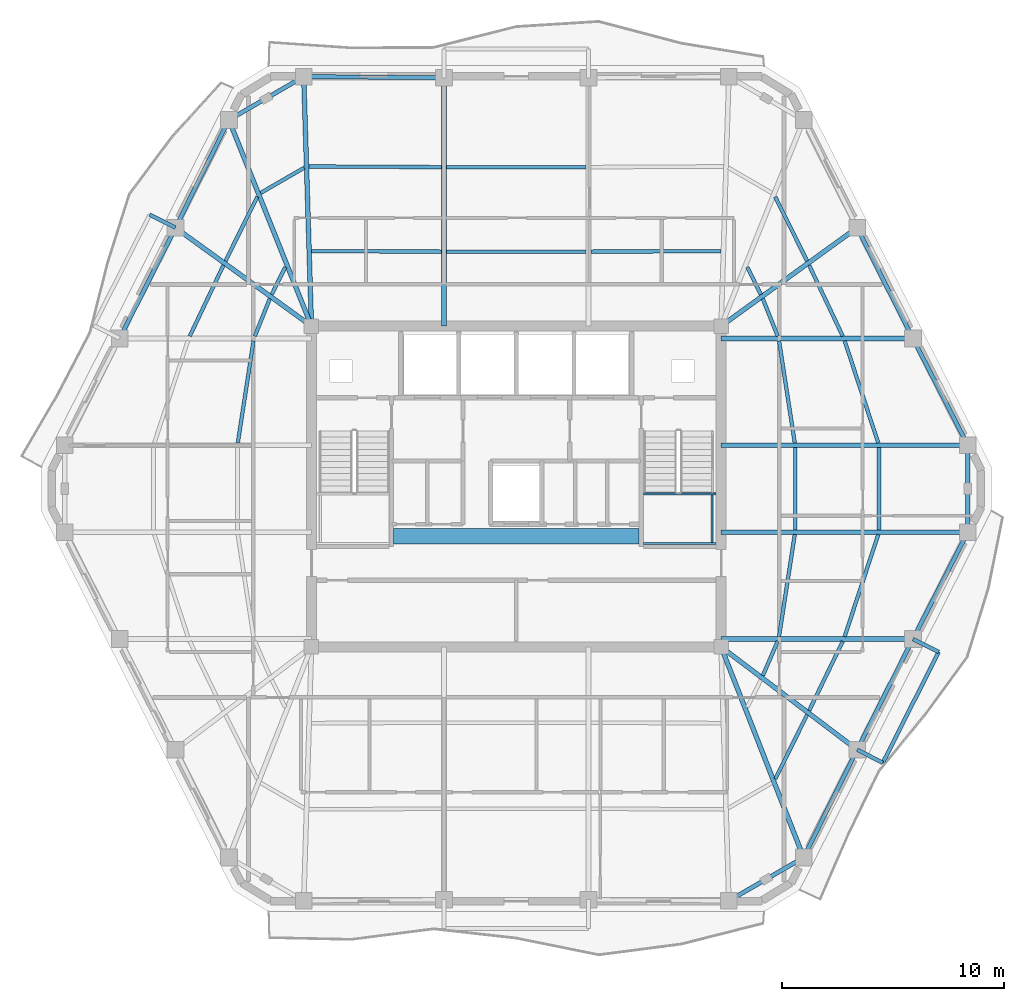
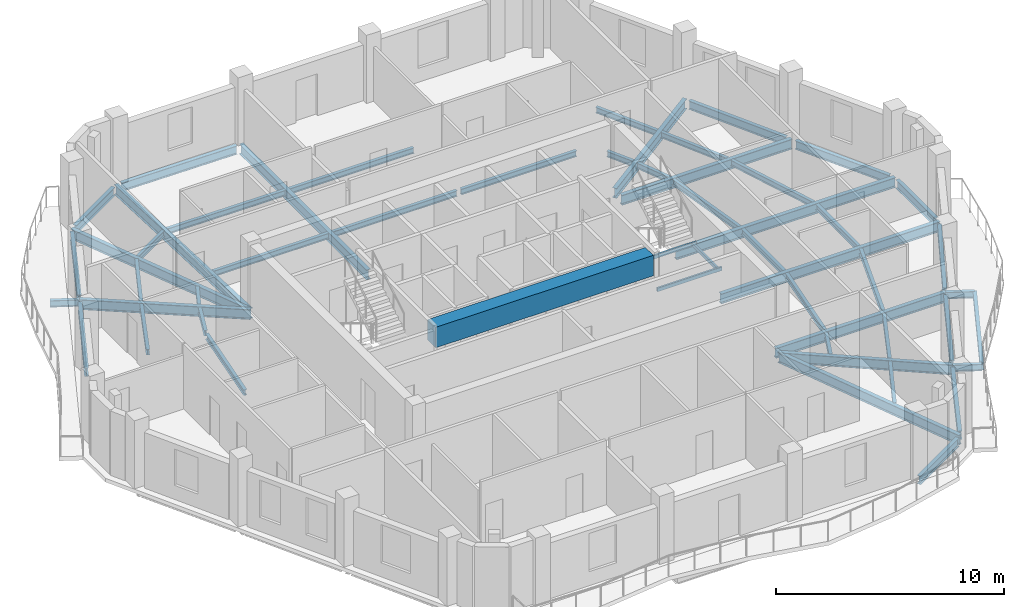
# One storey, part 2 of 11: 54 beams.
"""IFC4 building model written with IfcOpenShell, lengths in metres."""

from ifc_helpers import new_model, si_unit, direction, frame, origin, origin_2d, place, context, subcontext, project, spatial, rectangle, hollow_rectangle, i_section, extrude, material, material_profile, profile_set, type_object, element, save


model = new_model("IFC4")

# Units and contexts
model_context = context("Model", 3, precision=1e-05, world=origin(), true_north=direction((0.0, 1.0)))
body_context = subcontext(model_context, "Body", "Model", "MODEL_VIEW")
ifc_project = project(units=[si_unit("LENGTHUNIT", "METRE"), si_unit("AREAUNIT", "SQUARE_METRE"), si_unit("VOLUMEUNIT", "CUBIC_METRE"), si_unit("PLANEANGLEUNIT", "RADIAN"), si_unit("MASSUNIT", "GRAM", prefix="KILO")], contexts=[model_context])

# Site, building, storey
site_placement = place(None, origin())
site = spatial("IfcSite", under=ifc_project, at=site_placement, CompositionType="ELEMENT")
building_placement = place(site_placement, origin())
building = spatial("IfcBuilding", under=site, at=building_placement, Name="Cinnabar Lancet Tower", CompositionType="ELEMENT")
storey_placement = place(building_placement, frame((0.0, 0.0, 234.300048828125)))
storey = spatial("IfcBuildingStorey", under=building, at=storey_placement, Name="L62", CompositionType="ELEMENT", Elevation=234.300048828125)

# Beams
ifc_material_1 = material(Name="Concrete C70/85", Category="concrete")
ifc_material_profile_1 = material_profile(ifc_material_1, rectangle(XDim=0.699951171875, YDim=1.10009765625, at=origin_2d()), Name="RC-CB 700x1100")
ifc_profile_set_1 = profile_set([ifc_material_profile_1], Name="Concrete C70/85")
beam_type_1 = type_object("IfcBeamType", Name="STR-BM-CB-1100", PredefinedType="BEAM", material=ifc_profile_set_1)
beam_1_placement = place(storey_placement, frame((26.8798828125, 23.64990234375, 2.89990234375), z_axis=(1.0, 0.0, 0.0), x_axis=(0.0, 1.0, 0.0)))
element("IfcBeam", 1, at=beam_1_placement, inside=storey, type_object=beam_type_1, Name="L62 Core Coupling Beam", PredefinedType="BEAM", context=body_context, shape_type="SweptSolid", body=[
    extrude(rectangle(XDim=0.699951171875, YDim=1.10009765625, at=origin_2d()), origin(), (0.0, 0.0, 1.0), 11.0400390625),
])
ifc_material_2 = material(Name="Structural steel S355", Category="steel")
ifc_material_profile_2 = material_profile(ifc_material_2, i_section(OverallWidth=0.1650390625, OverallDepth=0.303466796875, WebThickness=0.006103515625, FlangeThickness=0.01025390625, FilletRadius=0.0087890625, at=origin_2d()), Name="UKB 305x165x40")
ifc_profile_set_2 = profile_set([ifc_material_profile_2], Name="Structural steel S355")
beam_type_2 = type_object("IfcBeamType", Name="STR-BM-JST-305", PredefinedType="JOIST", material=ifc_profile_set_2)
beam_2_placement = place(storey_placement, frame((44.06591796875, 12.73193359375, -0.35205078125), z_axis=(0.444391284604, 0.895832789179, 0.0), x_axis=(-0.895832789179, 0.444391284604, 0.0)))
element("IfcBeam", 2, at=beam_2_placement, inside=storey, type_object=beam_type_2, Name="L62 Secondary Floor Joist 15", PredefinedType="JOIST", context=body_context, shape_type="SweptSolid", body=[
    extrude(i_section(OverallWidth=0.1650390625, OverallDepth=0.303466796875, WebThickness=0.006103515625, FlangeThickness=0.01025390625, FilletRadius=0.0087890625, at=origin_2d()), origin(), (0.0, 0.0, 1.0), 3.220458984375),
])
beam_3_placement = place(storey_placement, frame((45.591064453125, 15.80810546875, -0.35205078125), z_axis=(0.43610936109, 0.899893674369, 0.0), x_axis=(-0.899893674369, 0.43610936109, 0.0)))
element("IfcBeam", 3, at=beam_3_placement, inside=storey, type_object=beam_type_2, Name="L62 Secondary Floor Joist 17", PredefinedType="JOIST", context=body_context, shape_type="SweptSolid", body=[
    extrude(i_section(OverallWidth=0.1650390625, OverallDepth=0.303466796875, WebThickness=0.006103515625, FlangeThickness=0.01025390625, FilletRadius=0.0087890625, at=origin_2d()), origin(), (0.0, 0.0, 1.0), 3.467041015625),
])
beam_4_placement = place(storey_placement, frame((43.5048828125, 17.385009765625, -0.35205078125), z_axis=(0.396302440144, 0.91812002262, 0.0), x_axis=(-0.91812002262, 0.396302440144, 0.0)))
element("IfcBeam", 4, at=beam_4_placement, inside=storey, type_object=beam_type_2, Name="L62 Secondary Floor Joist 18", PredefinedType="JOIST", context=body_context, shape_type="SweptSolid", body=[
    extrude(i_section(OverallWidth=0.1650390625, OverallDepth=0.303466796875, WebThickness=0.006103515625, FlangeThickness=0.01025390625, FilletRadius=0.0087890625, at=origin_2d()), origin(), (0.0, 0.0, 1.0), 1.6806640625),
])
beam_5_placement = place(storey_placement, frame((47.18798828125, 19.137939453125, -0.35205078125), z_axis=(0.312491145371, 0.949920672512, 0.0), x_axis=(-0.949920672512, 0.312491145371, 0.0)))
element("IfcBeam", 5, at=beam_5_placement, inside=storey, type_object=beam_type_2, Name="L62 Secondary Floor Joist 19", PredefinedType="JOIST", context=body_context, shape_type="SweptSolid", body=[
    extrude(i_section(OverallWidth=0.1650390625, OverallDepth=0.303466796875, WebThickness=0.006103515625, FlangeThickness=0.01025390625, FilletRadius=0.0087890625, at=origin_2d()), origin(), (0.0, 0.0, 1.0), 4.8447265625),
])
beam_6_placement = place(storey_placement, frame((44.23291015625, 19.137939453125, -0.35205078125), z_axis=(0.152262059154, 0.988340156698, 0.0), x_axis=(-0.988340156698, 0.152262059154, 0.0)))
element("IfcBeam", 6, at=beam_6_placement, inside=storey, type_object=beam_type_2, Name="L62 Secondary Floor Joist 20", PredefinedType="JOIST", context=body_context, shape_type="SweptSolid", body=[
    extrude(i_section(OverallWidth=0.1650390625, OverallDepth=0.303466796875, WebThickness=0.006103515625, FlangeThickness=0.01025390625, FilletRadius=0.0087890625, at=origin_2d()), origin(), (0.0, 0.0, 1.0), 4.65625),
])
for number, where, z_axis, x_axis, name in (
    (7, (48.737060546875, 23.949951171875, -0.35205078125), (0.0, 1.0, 0.0), (-1.0, 0.0, 0.0), "L62 Secondary Floor Joist 21"),
    (8, (44.958984375, 23.949951171875, -0.35205078125), (0.0, 1.0, 0.0), (-1.0, 0.0, 0.0), "L62 Secondary Floor Joist 22"),
):
    element("IfcBeam", number, at=place(storey_placement, frame(where, z_axis=z_axis, x_axis=x_axis)), inside=storey, type_object=beam_type_2, Name=name, PredefinedType="JOIST", context=body_context, shape_type="SweptSolid", body=[
        extrude(i_section(OverallWidth=0.1650390625, OverallDepth=0.303466796875, WebThickness=0.006103515625, FlangeThickness=0.01025390625, FilletRadius=0.0087890625, at=origin_2d()), origin(), (0.0, 0.0, 1.0), 3.699951171875),
    ])
beam_7_placement = place(storey_placement, frame((48.701904296875, 27.860107421875, -0.35205078125), z_axis=(-0.312506104996, 0.94991575118, 0.0), x_axis=(-0.94991575118, -0.312506104996, 0.0)))
element("IfcBeam", 9, at=beam_7_placement, inside=storey, type_object=beam_type_2, Name="L62 Secondary Floor Joist 23", PredefinedType="JOIST", context=body_context, shape_type="SweptSolid", body=[
    extrude(i_section(OverallWidth=0.1650390625, OverallDepth=0.303466796875, WebThickness=0.006103515625, FlangeThickness=0.01025390625, FilletRadius=0.0087890625, at=origin_2d()), origin(), (0.0, 0.0, 1.0), 4.844482421875),
])
beam_8_placement = place(storey_placement, frame((44.94189453125, 27.860107421875, -0.35205078125), z_axis=(-0.152269949853, 0.988338941038, 0.0), x_axis=(-0.988338941038, -0.152269949853, 0.0)))
element("IfcBeam", 10, at=beam_8_placement, inside=storey, type_object=beam_type_2, Name="L62 Secondary Floor Joist 24", PredefinedType="JOIST", context=body_context, shape_type="SweptSolid", body=[
    extrude(i_section(OverallWidth=0.1650390625, OverallDepth=0.303466796875, WebThickness=0.006103515625, FlangeThickness=0.01025390625, FilletRadius=0.0087890625, at=origin_2d()), origin(), (0.0, 0.0, 1.0), 4.656005859375),
])
beam_9_placement = place(storey_placement, frame((47.10400390625, 32.672119140625, -0.35205078125), z_axis=(-0.428647868514, 0.903471640296, 0.0), x_axis=(-0.903471640296, -0.428647868514, 0.0)))
element("IfcBeam", 11, at=beam_9_placement, inside=storey, type_object=beam_type_2, Name="L62 Secondary Floor Joist 25", PredefinedType="JOIST", context=body_context, shape_type="SweptSolid", body=[
    extrude(i_section(OverallWidth=0.1650390625, OverallDepth=0.303466796875, WebThickness=0.006103515625, FlangeThickness=0.01025390625, FilletRadius=0.0087890625, at=origin_2d()), origin(), (0.0, 0.0, 1.0), 3.53173828125),
])
beam_10_placement = place(storey_placement, frame((44.175048828125, 32.672119140625, -0.35205078125), z_axis=(-0.37155332079, 0.928411616585, 0.0), x_axis=(-0.928411616585, -0.37155332079, 0.0)))
element("IfcBeam", 12, at=beam_10_placement, inside=storey, type_object=beam_type_2, Name="L62 Secondary Floor Joist 26", PredefinedType="JOIST", context=body_context, shape_type="SweptSolid", body=[
    extrude(i_section(OverallWidth=0.1650390625, OverallDepth=0.303466796875, WebThickness=0.006103515625, FlangeThickness=0.01025390625, FilletRadius=0.0087890625, at=origin_2d()), origin(), (0.0, 0.0, 1.0), 1.8115234375),
])
beam_11_placement = place(storey_placement, frame((45.4970703125, 36.054931640625, -0.35205078125), z_axis=(-0.44427059531, 0.895892648783, 0.0), x_axis=(-0.895892648783, -0.44427059531, 0.0)))
element("IfcBeam", 13, at=beam_11_placement, inside=storey, type_object=beam_type_2, Name="L62 Secondary Floor Joist 27", PredefinedType="JOIST", context=body_context, shape_type="SweptSolid", body=[
    extrude(i_section(OverallWidth=0.1650390625, OverallDepth=0.303466796875, WebThickness=0.006103515625, FlangeThickness=0.01025390625, FilletRadius=0.0087890625, at=origin_2d()), origin(), (0.0, 0.0, 1.0), 3.221435546875),
])
beam_12_placement = place(storey_placement, frame((43.4150390625, 34.549072265625, -0.35205078125), z_axis=(-0.444661746427, 0.895698571655, 0.0), x_axis=(-0.895698571655, -0.444661746427, 0.0)))
element("IfcBeam", 14, at=beam_12_placement, inside=storey, type_object=beam_type_2, Name="L62 Secondary Floor Joist 28", PredefinedType="JOIST", context=body_context, shape_type="SweptSolid", body=[
    extrude(i_section(OverallWidth=0.1650390625, OverallDepth=0.303466796875, WebThickness=0.006103515625, FlangeThickness=0.01025390625, FilletRadius=0.0087890625, at=origin_2d()), origin(), (0.0, 0.0, 1.0), 1.378662109375),
])
beam_13_placement = place(storey_placement, frame((41.6240234375, 36.49609375, -0.35205078125), z_axis=(-0.999996226008, -0.002747356738, 0.0), x_axis=(0.002747356738, -0.999996226008, 0.0)))
element("IfcBeam", 15, at=beam_13_placement, inside=storey, type_object=beam_type_2, Name="L62 Secondary Floor Joist 31", PredefinedType="JOIST", context=body_context, shape_type="SweptSolid", body=[
    extrude(i_section(OverallWidth=0.1650390625, OverallDepth=0.303466796875, WebThickness=0.006103515625, FlangeThickness=0.01025390625, FilletRadius=0.0087890625, at=origin_2d()), origin(), (0.0, 0.0, 1.0), 5.864990234375),
])
for number, where, z_axis, x_axis, name in (
    (16, (35.549072265625, 40.281982421875, -0.35205078125), (-1.0, 0.0, 0.0), (0.0, -1.0, 0.0), "L62 Secondary Floor Joist 32"),
    (17, (35.549072265625, 36.47998046875, -0.35205078125), (-1.0, 0.0, 0.0), (0.0, -1.0, 0.0), "L62 Secondary Floor Joist 33"),
):
    element("IfcBeam", number, at=place(storey_placement, frame(where, z_axis=z_axis, x_axis=x_axis)), inside=storey, type_object=beam_type_2, Name=name, PredefinedType="JOIST", context=body_context, shape_type="SweptSolid", body=[
        extrude(i_section(OverallWidth=0.1650390625, OverallDepth=0.303466796875, WebThickness=0.006103515625, FlangeThickness=0.01025390625, FilletRadius=0.0087890625, at=origin_2d()), origin(), (0.0, 0.0, 1.0), 6.298095703125),
    ])
beam_14_placement = place(storey_placement, frame((29.041015625, 40.282958984375, -0.35205078125), z_axis=(-0.999985712428, 0.005345553266, 0.0), x_axis=(-0.005345553266, -0.999985712428, 0.0)))
element("IfcBeam", 18, at=beam_14_placement, inside=storey, type_object=beam_type_2, Name="L62 Secondary Floor Joist 34", PredefinedType="JOIST", context=body_context, shape_type="SweptSolid", body=[
    extrude(i_section(OverallWidth=0.1650390625, OverallDepth=0.303466796875, WebThickness=0.006103515625, FlangeThickness=0.01025390625, FilletRadius=0.0087890625, at=origin_2d()), origin(), (0.0, 0.0, 1.0), 5.98291015625),
])
beam_15_placement = place(storey_placement, frame((29.041015625, 36.47998046875, -0.35205078125), z_axis=(-0.999996226008, 0.002747356738, 0.0), x_axis=(-0.002747356738, -0.999996226008, 0.0)))
element("IfcBeam", 19, at=beam_15_placement, inside=storey, type_object=beam_type_2, Name="L62 Secondary Floor Joist 35", PredefinedType="JOIST", context=body_context, shape_type="SweptSolid", body=[
    extrude(i_section(OverallWidth=0.1650390625, OverallDepth=0.303466796875, WebThickness=0.006103515625, FlangeThickness=0.01025390625, FilletRadius=0.0087890625, at=origin_2d()), origin(), (0.0, 0.0, 1.0), 5.864990234375),
])
beam_16_placement = place(storey_placement, frame((22.85009765625, 40.256103515625, -0.35205078125), z_axis=(-0.865426285481, -0.501036270542, 0.0), x_axis=(0.501036270542, -0.865426285481, 0.0)))
element("IfcBeam", 20, at=beam_16_placement, inside=storey, type_object=beam_type_2, Name="L62 Secondary Floor Joist 36", PredefinedType="JOIST", context=body_context, shape_type="SweptSolid", body=[
    extrude(i_section(OverallWidth=0.1650390625, OverallDepth=0.303466796875, WebThickness=0.006103515625, FlangeThickness=0.01025390625, FilletRadius=0.0087890625, at=origin_2d()), origin(), (0.0, 0.0, 1.0), 2.267333984375),
])
beam_17_placement = place(storey_placement, frame((20.73388671875, 38.94091796875, -0.35205078125), z_axis=(-0.444209762814, -0.89592281287, 0.0), x_axis=(0.89592281287, -0.444209762814, 0.0)))
element("IfcBeam", 21, at=beam_17_placement, inside=storey, type_object=beam_type_2, Name="L62 Secondary Floor Joist 37", PredefinedType="JOIST", context=body_context, shape_type="SweptSolid", body=[
    extrude(i_section(OverallWidth=0.1650390625, OverallDepth=0.303466796875, WebThickness=0.006103515625, FlangeThickness=0.01025390625, FilletRadius=0.0087890625, at=origin_2d()), origin(), (0.0, 0.0, 1.0), 3.22119140625),
])
beam_18_placement = place(storey_placement, frame((21.998046875, 35.783935546875, -0.35205078125), z_axis=(-0.444661746427, -0.895698571655, 0.0), x_axis=(0.895698571655, -0.444661746427, 0.0)))
element("IfcBeam", 22, at=beam_18_placement, inside=storey, type_object=beam_type_2, Name="L62 Secondary Floor Joist 38", PredefinedType="JOIST", context=body_context, shape_type="SweptSolid", body=[
    extrude(i_section(OverallWidth=0.1650390625, OverallDepth=0.303466796875, WebThickness=0.006103515625, FlangeThickness=0.01025390625, FilletRadius=0.0087890625, at=origin_2d()), origin(), (0.0, 0.0, 1.0), 1.378662109375),
])
beam_19_placement = place(storey_placement, frame((19.2099609375, 35.863037109375, -0.35205078125), z_axis=(-0.428647868514, -0.903471640296, 0.0), x_axis=(0.903471640296, -0.428647868514, 0.0)))
element("IfcBeam", 23, at=beam_19_placement, inside=storey, type_object=beam_type_2, Name="L62 Secondary Floor Joist 39", PredefinedType="JOIST", context=body_context, shape_type="SweptSolid", body=[
    extrude(i_section(OverallWidth=0.1650390625, OverallDepth=0.303466796875, WebThickness=0.006103515625, FlangeThickness=0.01025390625, FilletRadius=0.0087890625, at=origin_2d()), origin(), (0.0, 0.0, 1.0), 3.53173828125),
])
beam_20_placement = place(storey_placement, frame((21.298095703125, 34.35400390625, -0.35205078125), z_axis=(-0.37155332079, -0.928411616585, 0.0), x_axis=(0.928411616585, -0.37155332079, 0.0)))
element("IfcBeam", 24, at=beam_20_placement, inside=storey, type_object=beam_type_2, Name="L62 Secondary Floor Joist 40", PredefinedType="JOIST", context=body_context, shape_type="SweptSolid", body=[
    extrude(i_section(OverallWidth=0.1650390625, OverallDepth=0.303466796875, WebThickness=0.006103515625, FlangeThickness=0.01025390625, FilletRadius=0.0087890625, at=origin_2d()), origin(), (0.0, 0.0, 1.0), 1.8115234375),
])
beam_21_placement = place(storey_placement, frame((20.56689453125, 32.4619140625, -0.35205078125), z_axis=(-0.152269949853, -0.988338941038, 0.0), x_axis=(0.988338941038, -0.152269949853, 0.0)))
element("IfcBeam", 25, at=beam_21_placement, inside=storey, type_object=beam_type_2, Name="L62 Secondary Floor Joist 42", PredefinedType="JOIST", context=body_context, shape_type="SweptSolid", body=[
    extrude(i_section(OverallWidth=0.1650390625, OverallDepth=0.303466796875, WebThickness=0.006103515625, FlangeThickness=0.01025390625, FilletRadius=0.0087890625, at=origin_2d()), origin(), (0.0, 0.0, 1.0), 4.656005859375),
])
ifc_material_3 = material(Name="Structural steel S355", Category="steel")
ifc_material_profile_3 = material_profile(ifc_material_3, hollow_rectangle(XDim=0.10009765625, YDim=0.199951171875, WallThickness=0.008056640625, InnerFilletRadius=0.00390625, OuterFilletRadius=0.011962890625, at=origin_2d()), Name="RHS 200x100x8")
ifc_profile_set_3 = profile_set([ifc_material_profile_3], Name="Structural steel S355")
beam_type_3 = type_object("IfcBeamType", Name="STR-BM-LND-203", PredefinedType="BEAM", material=ifc_profile_set_3)
for number, where, z_axis, x_axis, name in (
    (26, (38.1201171875, 23.330078125, 1.52490234375), (1.0, 0.0, 0.0), (0.0, 1.0, 0.0), "L62 ST-2-L62 Landing Support Beam S"),
    (27, (38.1201171875, 25.570068359375, 1.52490234375), (1.0, 0.0, 0.0), (0.0, 1.0, 0.0), "L62 ST-2-L62 Landing Support Beam N"),
):
    element("IfcBeam", number, at=place(storey_placement, frame(where, z_axis=z_axis, x_axis=x_axis)), inside=storey, type_object=beam_type_3, Name=name, PredefinedType="BEAM", context=body_context, shape_type="SweptSolid", body=[
        extrude(hollow_rectangle(XDim=0.10009765625, YDim=0.199951171875, WallThickness=0.008056640625, InnerFilletRadius=0.00390625, OuterFilletRadius=0.011962890625, at=origin_2d()), origin(), (0.0, 0.0, 1.0), 3.27978515625),
    ])
beam_22_placement = place(storey_placement, frame((41.219970703125, 23.3798828125, 1.52490234375), z_axis=(0.0, 1.0, 0.0), x_axis=(-1.0, 0.0, 0.0)))
element("IfcBeam", 28, at=beam_22_placement, inside=storey, type_object=beam_type_3, Name="L62 ST-2-L62 Landing Side Trimmer Beam", PredefinedType="BEAM", context=body_context, shape_type="SweptSolid", body=[
    extrude(hollow_rectangle(XDim=0.10009765625, YDim=0.199951171875, WallThickness=0.008056640625, InnerFilletRadius=0.00390625, OuterFilletRadius=0.011962890625, at=origin_2d()), origin(), (0.0, 0.0, 1.0), 2.14013671875),
])
ifc_material_4 = material(Name="Structural steel S355", Category="steel")
ifc_material_profile_4 = material_profile(ifc_material_4, i_section(OverallWidth=0.1904296875, OverallDepth=0.45703125, WebThickness=0.009033203125, FlangeThickness=0.014404296875, FilletRadius=0.01025390625, at=origin_2d()), Name="UKB 457x191x74")
ifc_profile_set_4 = profile_set([ifc_material_profile_4], Name="Structural steel S355")
beam_type_4 = type_object("IfcBeamType", Name="STR-BM-SPN-457", PredefinedType="SPANDREL", material=ifc_profile_set_4)
beam_23_placement = place(storey_placement, frame((42.18798828125, 7.364013671875, -0.428955078125), z_axis=(0.865230894194, 0.50137361292, 0.0), x_axis=(-0.50137361292, 0.865230894194, 0.0)))
element("IfcBeam", 29, at=beam_23_placement, inside=storey, type_object=beam_type_4, Name="L62 Perimeter Spandrel 4", PredefinedType="SPANDREL", context=body_context, shape_type="SweptSolid", body=[
    extrude(i_section(OverallWidth=0.1904296875, OverallDepth=0.45703125, WebThickness=0.009033203125, FlangeThickness=0.014404296875, FilletRadius=0.01025390625, at=origin_2d()), origin(), (0.0, 0.0, 1.0), 3.39453125),
])
beam_24_placement = place(storey_placement, frame((45.451904296875, 9.4150390625, -0.428955078125), z_axis=(0.444372599207, 0.895842058107, 0.0), x_axis=(-0.895842058107, 0.444372599207, 0.0)))
element("IfcBeam", 30, at=beam_24_placement, inside=storey, type_object=beam_type_4, Name="L62 Perimeter Spandrel 5", PredefinedType="SPANDREL", context=body_context, shape_type="SweptSolid", body=[
    extrude(i_section(OverallWidth=0.1904296875, OverallDepth=0.45703125, WebThickness=0.009033203125, FlangeThickness=0.014404296875, FilletRadius=0.01025390625, at=origin_2d()), origin(), (0.0, 0.0, 1.0), 4.91943359375),
])
beam_25_placement = place(storey_placement, frame((47.862060546875, 14.26904296875, -0.428955078125), z_axis=(0.450091864122, 0.892982258419, 0.0), x_axis=(-0.892982258419, 0.450091864122, 0.0)))
element("IfcBeam", 31, at=beam_25_placement, inside=storey, type_object=beam_type_4, Name="L62 Perimeter Spandrel 6", PredefinedType="SPANDREL", context=body_context, shape_type="SweptSolid", body=[
    extrude(i_section(OverallWidth=0.1904296875, OverallDepth=0.45703125, WebThickness=0.009033203125, FlangeThickness=0.014404296875, FilletRadius=0.01025390625, at=origin_2d()), origin(), (0.0, 0.0, 1.0), 5.085205078125),
])
beam_26_placement = place(storey_placement, frame((50.3779296875, 19.2548828125, -0.428955078125), z_axis=(0.457127852293, 0.889400993174, 0.0), x_axis=(-0.889400993174, 0.457127852293, 0.0)))
element("IfcBeam", 32, at=beam_26_placement, inside=storey, type_object=beam_type_4, Name="L62 Perimeter Spandrel 7", PredefinedType="SPANDREL", context=body_context, shape_type="SweptSolid", body=[
    extrude(i_section(OverallWidth=0.1904296875, OverallDepth=0.45703125, WebThickness=0.009033203125, FlangeThickness=0.014404296875, FilletRadius=0.01025390625, at=origin_2d()), origin(), (0.0, 0.0, 1.0), 4.911376953125),
])
beam_27_placement = place(storey_placement, frame((52.737060546875, 24.094970703125, -0.428955078125), z_axis=(0.0, 1.0, 0.0), x_axis=(-1.0, 0.0, 0.0)))
element("IfcBeam", 33, at=beam_27_placement, inside=storey, type_object=beam_type_4, Name="L62 Perimeter Spandrel 8", PredefinedType="SPANDREL", context=body_context, shape_type="SweptSolid", body=[
    extrude(i_section(OverallWidth=0.1904296875, OverallDepth=0.45703125, WebThickness=0.009033203125, FlangeThickness=0.014404296875, FilletRadius=0.01025390625, at=origin_2d()), origin(), (0.0, 0.0, 1.0), 3.409912109375),
])
beam_28_placement = place(storey_placement, frame((52.623046875, 27.97705078125, -0.428955078125), z_axis=(-0.457148063427, 0.889390604912, 0.0), x_axis=(-0.889390604912, -0.457148063427, 0.0)))
element("IfcBeam", 34, at=beam_28_placement, inside=storey, type_object=beam_type_4, Name="L62 Perimeter Spandrel 9", PredefinedType="SPANDREL", context=body_context, shape_type="SweptSolid", body=[
    extrude(i_section(OverallWidth=0.1904296875, OverallDepth=0.45703125, WebThickness=0.009033203125, FlangeThickness=0.014404296875, FilletRadius=0.01025390625, at=origin_2d()), origin(), (0.0, 0.0, 1.0), 4.9111328125),
])
beam_29_placement = place(storey_placement, frame((50.15087890625, 32.7900390625, -0.428955078125), z_axis=(-0.450091864122, 0.892982258419, 0.0), x_axis=(-0.892982258419, -0.450091864122, 0.0)))
element("IfcBeam", 35, at=beam_29_placement, inside=storey, type_object=beam_type_4, Name="L62 Perimeter Spandrel 10", PredefinedType="SPANDREL", context=body_context, shape_type="SweptSolid", body=[
    extrude(i_section(OverallWidth=0.1904296875, OverallDepth=0.45703125, WebThickness=0.009033203125, FlangeThickness=0.014404296875, FilletRadius=0.01025390625, at=origin_2d()), origin(), (0.0, 0.0, 1.0), 5.085205078125),
])
beam_30_placement = place(storey_placement, frame((28.89599609375, 44.31005859375, -0.428955078125), z_axis=(-0.999964785419, 0.008392134492, 0.0), x_axis=(-0.008392134492, -0.999964785419, 0.0)))
element("IfcBeam", 36, at=beam_30_placement, inside=storey, type_object=beam_type_4, Name="L62 Perimeter Spandrel 15", PredefinedType="SPANDREL", context=body_context, shape_type="SweptSolid", body=[
    extrude(i_section(OverallWidth=0.1904296875, OverallDepth=0.45703125, WebThickness=0.009033203125, FlangeThickness=0.014404296875, FilletRadius=0.01025390625, at=origin_2d()), origin(), (0.0, 0.0, 1.0), 5.818359375),
])
beam_31_placement = place(storey_placement, frame((22.612060546875, 44.236083984375, -0.428955078125), z_axis=(-0.865199693264, -0.501427453153, 0.0), x_axis=(0.501427453153, -0.865199693264, 0.0)))
element("IfcBeam", 37, at=beam_31_placement, inside=storey, type_object=beam_type_4, Name="L62 Perimeter Spandrel 16", PredefinedType="SPANDREL", context=body_context, shape_type="SweptSolid", body=[
    extrude(i_section(OverallWidth=0.1904296875, OverallDepth=0.45703125, WebThickness=0.009033203125, FlangeThickness=0.014404296875, FilletRadius=0.01025390625, at=origin_2d()), origin(), (0.0, 0.0, 1.0), 3.39453125),
])
beam_32_placement = place(storey_placement, frame((19.347900390625, 42.18505859375, -0.428955078125), z_axis=(-0.44433276947, -0.895861814107, 0.0), x_axis=(0.895861814107, -0.44433276947, 0.0)))
element("IfcBeam", 38, at=beam_32_placement, inside=storey, type_object=beam_type_4, Name="L62 Perimeter Spandrel 17", PredefinedType="SPANDREL", context=body_context, shape_type="SweptSolid", body=[
    extrude(i_section(OverallWidth=0.1904296875, OverallDepth=0.45703125, WebThickness=0.009033203125, FlangeThickness=0.014404296875, FilletRadius=0.01025390625, at=origin_2d()), origin(), (0.0, 0.0, 1.0), 4.919189453125),
])
beam_33_placement = place(storey_placement, frame((16.93798828125, 37.3310546875, -0.428955078125), z_axis=(-0.450130146726, -0.892962961722, 0.0), x_axis=(0.892962961722, -0.450130146726, 0.0)))
element("IfcBeam", 39, at=beam_33_placement, inside=storey, type_object=beam_type_4, Name="L62 Perimeter Spandrel 18", PredefinedType="SPANDREL", context=body_context, shape_type="SweptSolid", body=[
    extrude(i_section(OverallWidth=0.1904296875, OverallDepth=0.45703125, WebThickness=0.009033203125, FlangeThickness=0.014404296875, FilletRadius=0.01025390625, at=origin_2d()), origin(), (0.0, 0.0, 1.0), 5.08544921875),
])
ifc_material_5 = material(Name="Structural steel S355", Category="steel")
ifc_material_profile_5 = material_profile(ifc_material_5, i_section(OverallWidth=0.209228515625, OverallDepth=0.533203125, WebThickness=0.010009765625, FlangeThickness=0.015625, FilletRadius=0.0126953125, at=origin_2d()), Name="UKB 533x210x92")
ifc_profile_set_5 = profile_set([ifc_material_profile_5], Name="Structural steel S355")
beam_type_5 = type_object("IfcBeamType", Name="STR-BM-UKB533-92", PredefinedType="BEAM", material=ifc_profile_set_5)
beam_34_placement = place(storey_placement, frame((47.7490234375, 14.0458984375, -0.467041015625), z_axis=(-0.797735075719, 0.603008083667, 0.0), x_axis=(-0.603008083667, -0.797735075719, 0.0)))
element("IfcBeam", 40, at=beam_34_placement, inside=storey, type_object=beam_type_5, Name="L62 Corner Collector Girder 2", PredefinedType="BEAM", context=body_context, shape_type="SweptSolid", body=[
    extrude(i_section(OverallWidth=0.209228515625, OverallDepth=0.533203125, WebThickness=0.010009765625, FlangeThickness=0.015625, FilletRadius=0.0126953125, at=origin_2d()), origin(), (0.0, 0.0, 1.0), 7.6767578125),
])
for number, where, z_axis, x_axis, name in (
    (41, (47.7490234375, 37.553955078125, -0.467041015625), (-0.810299148474, -0.586016458797, 0.0), (0.586016458797, -0.810299148474, 0.0), "L62 Corner Collector Girder 3"),
    (42, (17.051025390625, 37.553955078125, -0.467041015625), (0.810299148474, -0.586016458797, 0.0), (0.586016458797, 0.810299148474, 0.0), "L62 Corner Collector Girder 4"),
):
    element("IfcBeam", number, at=place(storey_placement, frame(where, z_axis=z_axis, x_axis=x_axis)), inside=storey, type_object=beam_type_5, Name=name, PredefinedType="BEAM", context=body_context, shape_type="SweptSolid", body=[
        extrude(i_section(OverallWidth=0.209228515625, OverallDepth=0.533203125, WebThickness=0.010009765625, FlangeThickness=0.015625, FilletRadius=0.0126953125, at=origin_2d()), origin(), (0.0, 0.0, 1.0), 7.5576171875),
    ])
beam_35_placement = place(storey_placement, frame((45.341064453125, 9.19091796875, -0.467041015625), z_axis=(-0.364815017375, 0.931080019707, 0.0), x_axis=(-0.931080019707, -0.364815017375, 0.0)))
element("IfcBeam", 43, at=beam_35_placement, inside=storey, type_object=beam_type_5, Name="L62 Primary Floor Girder 5", PredefinedType="BEAM", context=body_context, shape_type="SweptSolid", body=[
    extrude(i_section(OverallWidth=0.209228515625, OverallDepth=0.533203125, WebThickness=0.010009765625, FlangeThickness=0.015625, FilletRadius=0.0126953125, at=origin_2d()), origin(), (0.0, 0.0, 1.0), 10.186279296875),
])
beam_36_placement = place(storey_placement, frame((50.263916015625, 19.032958984375, -0.467041015625), z_axis=(-1.0, 0.0, 0.0), x_axis=(0.0, -1.0, 0.0)))
element("IfcBeam", 44, at=beam_36_placement, inside=storey, type_object=beam_type_5, Name="L62 Primary Floor Girder 7", PredefinedType="BEAM", context=body_context, shape_type="SweptSolid", body=[
    extrude(i_section(OverallWidth=0.209228515625, OverallDepth=0.533203125, WebThickness=0.010009765625, FlangeThickness=0.015625, FilletRadius=0.0126953125, at=origin_2d()), origin(), (0.0, 0.0, 1.0), 8.638916015625),
])
for number, where, z_axis, x_axis, name in (
    (45, (52.737060546875, 23.844970703125, -0.467041015625), (-1.0, 0.0, 0.0), (0.0, -1.0, 0.0), "L62 Primary Floor Girder 8"),
    (46, (52.737060546875, 27.7548828125, -0.467041015625), (-1.0, 0.0, 0.0), (0.0, -1.0, 0.0), "L62 Primary Floor Girder 9"),
):
    element("IfcBeam", number, at=place(storey_placement, frame(where, z_axis=z_axis, x_axis=x_axis)), inside=storey, type_object=beam_type_5, Name=name, PredefinedType="BEAM", context=body_context, shape_type="SweptSolid", body=[
        extrude(i_section(OverallWidth=0.209228515625, OverallDepth=0.533203125, WebThickness=0.010009765625, FlangeThickness=0.015625, FilletRadius=0.0126953125, at=origin_2d()), origin(), (0.0, 0.0, 1.0), 11.112060546875),
    ])
beam_37_placement = place(storey_placement, frame((50.263916015625, 32.56689453125, -0.467041015625), z_axis=(-1.0, 0.0, 0.0), x_axis=(0.0, -1.0, 0.0)))
element("IfcBeam", 47, at=beam_37_placement, inside=storey, type_object=beam_type_5, Name="L62 Primary Floor Girder 10", PredefinedType="BEAM", context=body_context, shape_type="SweptSolid", body=[
    extrude(i_section(OverallWidth=0.209228515625, OverallDepth=0.533203125, WebThickness=0.010009765625, FlangeThickness=0.015625, FilletRadius=0.0126953125, at=origin_2d()), origin(), (0.0, 0.0, 1.0), 8.638916015625),
])
beam_38_placement = place(storey_placement, frame((29.14599609375, 44.30810546875, -0.467041015625), z_axis=(0.0, -1.0, 0.0), x_axis=(1.0, 0.0, 0.0)))
element("IfcBeam", 48, at=beam_38_placement, inside=storey, type_object=beam_type_5, Name="L62 Primary Floor Girder 15", PredefinedType="BEAM", context=body_context, shape_type="SweptSolid", body=[
    extrude(i_section(OverallWidth=0.209228515625, OverallDepth=0.533203125, WebThickness=0.010009765625, FlangeThickness=0.015625, FilletRadius=0.0126953125, at=origin_2d()), origin(), (0.0, 0.0, 1.0), 11.18310546875),
])
beam_39_placement = place(storey_placement, frame((22.827880859375, 44.361083984375, -0.467041015625), z_axis=(0.030882856862, -0.999523010817, 0.0), x_axis=(0.999523010817, 0.030882856862, 0.0)))
element("IfcBeam", 49, at=beam_39_placement, inside=storey, type_object=beam_type_5, Name="L62 Primary Floor Girder 16", PredefinedType="BEAM", context=body_context, shape_type="SweptSolid", body=[
    extrude(i_section(OverallWidth=0.209228515625, OverallDepth=0.533203125, WebThickness=0.010009765625, FlangeThickness=0.015625, FilletRadius=0.0126953125, at=origin_2d()), origin(), (0.0, 0.0, 1.0), 11.241455078125),
])
beam_40_placement = place(storey_placement, frame((19.458984375, 42.408935546875, -0.467041015625), z_axis=(0.371605341166, -0.928390796172, 0.0), x_axis=(0.928390796172, 0.371605341166, 0.0)))
element("IfcBeam", 50, at=beam_40_placement, inside=storey, type_object=beam_type_5, Name="L62 Primary Floor Girder 17", PredefinedType="BEAM", context=body_context, shape_type="SweptSolid", body=[
    extrude(i_section(OverallWidth=0.209228515625, OverallDepth=0.533203125, WebThickness=0.010009765625, FlangeThickness=0.015625, FilletRadius=0.0126953125, at=origin_2d()), origin(), (0.0, 0.0, 1.0), 10.0),
])
ifc_material_6 = material(Name="Structural steel S355", Category="steel")
ifc_material_profile_6 = material_profile(ifc_material_6, i_section(OverallWidth=0.17138671875, OverallDepth=0.35498046875, WebThickness=0.00732421875, FlangeThickness=0.011474609375, FilletRadius=0.01025390625, at=origin_2d()), Name="UKB 356x171x51")
ifc_profile_set_6 = profile_set([ifc_material_profile_6], Name="Structural steel S355")
beam_type_6 = type_object("IfcBeamType", Name="STR-BM-WAV-OUT", PredefinedType="BEAM", material=ifc_profile_set_6)
for number, where, z_axis, x_axis, name in (
    (51, (47.7490234375, 14.0458984375, -0.39697265625), (0.89227592947, -0.451490493464, 0.0), (0.451490493464, 0.89227592947, 0.0), "L62 Face 2 Balcony Outlooker A"),
    (52, (50.263916015625, 19.032958984375, -0.39697265625), (0.892314203325, -0.451414845285, 0.0), (0.451414845285, 0.892314203325, 0.0), "L62 Face 2 Balcony Outlooker B"),
    (53, (17.051025390625, 37.553955078125, -0.39697265625), (-0.892200264127, 0.451639998995, 0.0), (-0.451639998995, -0.892200264127, 0.0), "L62 Face 5 Balcony Outlooker A"),
):
    element("IfcBeam", number, at=place(storey_placement, frame(where, z_axis=z_axis, x_axis=x_axis)), inside=storey, type_object=beam_type_6, Name=name, PredefinedType="BEAM", context=body_context, shape_type="SweptSolid", body=[
        extrude(i_section(OverallWidth=0.17138671875, OverallDepth=0.35498046875, WebThickness=0.00732421875, FlangeThickness=0.011474609375, FilletRadius=0.01025390625, at=origin_2d()), origin(), (0.0, 0.0, 1.0), 1.300048828125),
    ])
ifc_material_7 = material(Name="Structural steel S355", Category="steel")
ifc_material_profile_7 = material_profile(ifc_material_7, i_section(OverallWidth=0.17138671875, OverallDepth=0.35498046875, WebThickness=0.00732421875, FlangeThickness=0.011474609375, FilletRadius=0.01025390625, at=origin_2d()), Name="UKB 356x171x51")
ifc_profile_set_7 = profile_set([ifc_material_profile_7], Name="Structural steel S355")
beam_type_7 = type_object("IfcBeamType", Name="STR-BM-WAV-TRIM", PredefinedType="SPANDREL", material=ifc_profile_set_7)
beam_41_placement = place(storey_placement, frame((48.908935546875, 13.458984375, -0.39697265625), z_axis=(0.450305622338, 0.892874485295, 0.0), x_axis=(-0.892874485295, 0.450305622338, 0.0)))
element("IfcBeam", 54, at=beam_41_placement, inside=storey, type_object=beam_type_7, Name="L62 Face 2 Balcony Edge Trimmer", PredefinedType="SPANDREL", context=body_context, shape_type="SweptSolid", body=[
    extrude(i_section(OverallWidth=0.17138671875, OverallDepth=0.35498046875, WebThickness=0.00732421875, FlangeThickness=0.011474609375, FilletRadius=0.01025390625, at=origin_2d()), origin(), (0.0, 0.0, 1.0), 5.58544921875),
])

save(model, "model.ifc")
